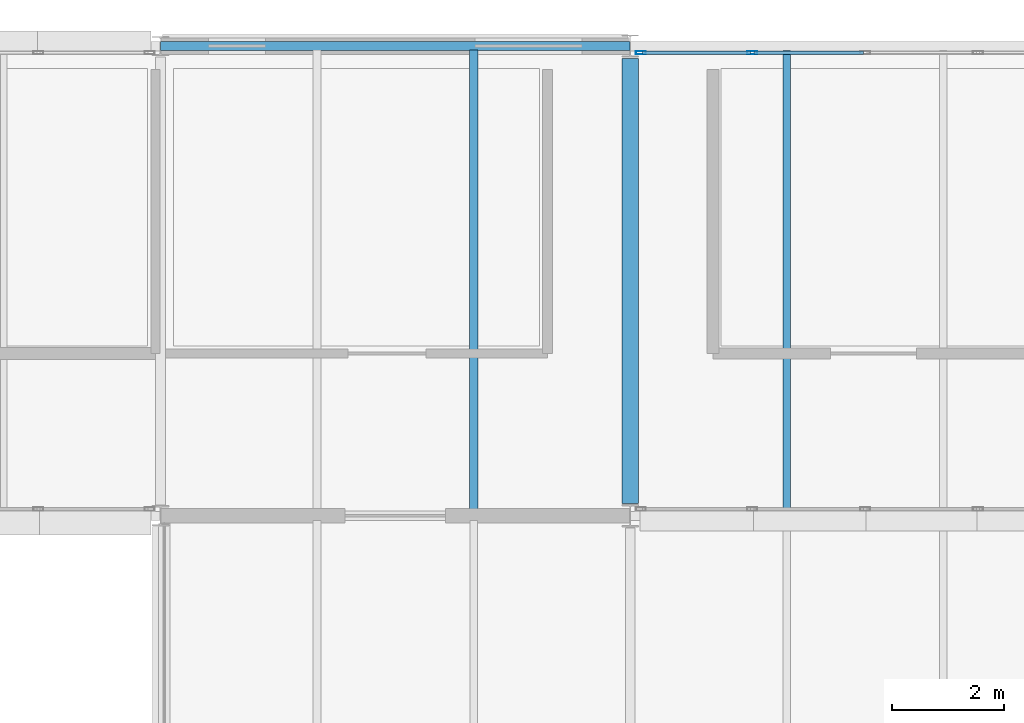
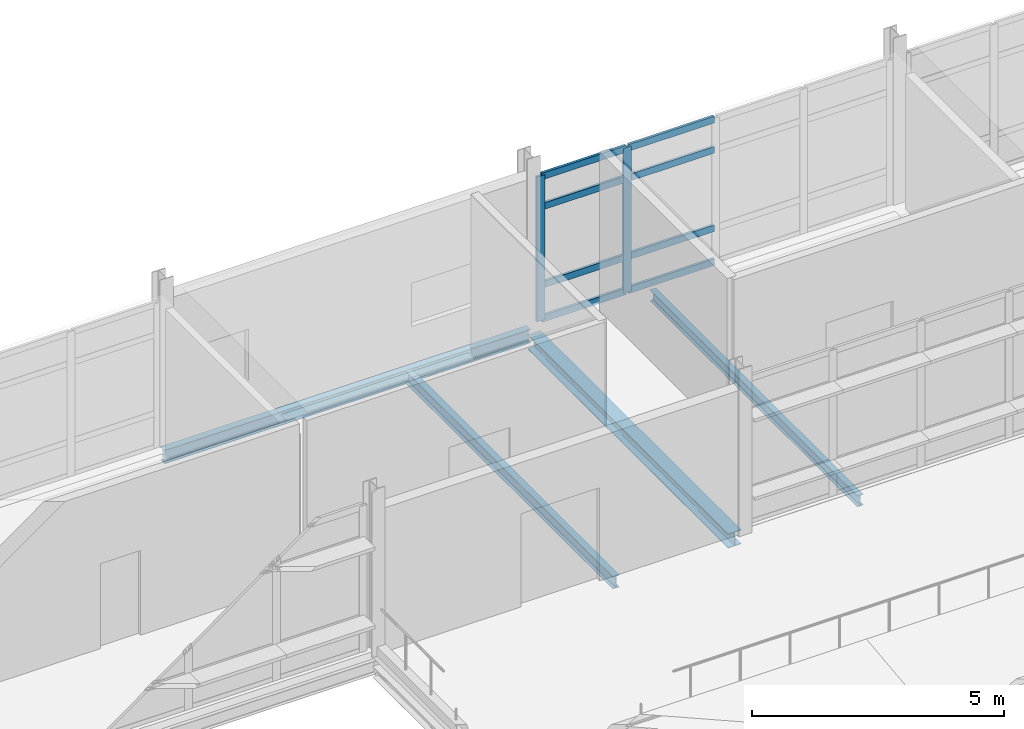
# One storey, part 22 of 66: 10 members, 4 beams, 1 element without a shape of its own.
"""IFC4 building model written with IfcOpenShell, lengths in metres."""

import ifcopenshell
import ifcopenshell.guid

model = None  # the IFC model being written
_history = None  # IfcOwnerHistory: only IFC2X3 demands one
_inside = {}  # id of a spatial element -> (the spatial element, [elements in it])
_under = {}  # id of a project, library or spatial element -> (it, [spatial elements below it])
_declared = {}  # id of a project -> (the project, [libraries it declares])
_typed = {}  # id of a type object -> (the type object, [elements of that type])
_made_of = {}  # id of a material, layer set ... -> (it, [elements and type objects made of it])


def new_model(schema):
    """Start an empty IFC model of exactly this schema.

    Asked for "IFC4X3", IfcOpenShell would pick the latest addendum, in which some entities
    have other attributes; the version numbers below select the first issue.
    IFC2X3 requires an IfcOwnerHistory on every rooted entity: one is made here for all.
    """
    global model, _history
    if schema == "IFC4X3":
        model = ifcopenshell.file(schema_version=(4, 3, 0, 0))
    else:
        model = ifcopenshell.file(schema=schema)
    _inside.clear()
    _under.clear()
    _declared.clear()
    _typed.clear()
    _made_of.clear()
    _history = None
    if model.schema == "IFC2X3":
        org = make("IfcOrganization", Name="unknown")
        user = make(
            "IfcPersonAndOrganization",
            ThePerson=make("IfcPerson", FamilyName="unknown"),
            TheOrganization=org,
        )
        app = make(
            "IfcApplication",
            ApplicationDeveloper=org,
            Version="unknown",
            ApplicationFullName="unknown",
            ApplicationIdentifier="unknown",
        )
        _history = make(
            "IfcOwnerHistory",
            OwningUser=user,
            OwningApplication=app,
            ChangeAction="ADDED",
            CreationDate=0,
        )
    return model


def make(cls, **values):
    """One entity of the class cls with the attributes given. An attribute that is None is left unset."""
    return model.create_entity(
        cls, **{name: value for name, value in values.items() if value is not None}
    )


def rooted(cls, **values):
    """An entity with a GlobalId (a new one), such as an element, a storey or a relation."""
    return make(cls, GlobalId=ifcopenshell.guid.new(), OwnerHistory=_history, **values)


def si_unit(unit_type, name, prefix=None):
    """IfcSIUnit, for example si_unit("LENGTHUNIT", "METRE", prefix="MILLI")."""
    return make("IfcSIUnit", UnitType=unit_type, Prefix=prefix, Name=name)


def assignment(units):
    """IfcUnitAssignment: the units of a project."""
    return None if units is None else make("IfcUnitAssignment", Units=units)


def point(xyz):
    """IfcCartesianPoint."""
    return None if xyz is None else make("IfcCartesianPoint", Coordinates=xyz)


def direction(xyz):
    """IfcDirection."""
    return None if xyz is None else make("IfcDirection", DirectionRatios=xyz)


def frame(location, z_axis=None, x_axis=None):
    """IfcAxis2Placement3D, a coordinate frame: its origin and axes. An axis left out is left unset."""
    return make(
        "IfcAxis2Placement3D",
        Location=point(location),
        Axis=direction(z_axis),
        RefDirection=direction(x_axis),
    )


def frame_2d(location, x_axis=None):
    """IfcAxis2Placement2D, a coordinate frame in the plane: its origin and x axis."""
    return make(
        "IfcAxis2Placement2D", Location=point(location), RefDirection=direction(x_axis)
    )


def origin():
    """The frame at (0, 0, 0) with its axes left unset."""
    return frame((0.0, 0.0, 0.0))


def origin_2d():
    """The frame at (0, 0) in the plane with its x axis left unset."""
    return frame_2d((0.0, 0.0))


def place(relative_to, where):
    """IfcLocalPlacement: puts the frame where relative to a parent placement (None: the world)."""
    return make(
        "IfcLocalPlacement", PlacementRelTo=relative_to, RelativePlacement=where
    )


def context(
    kind, dimensions, precision=None, world=None, true_north=None, identifier=None
):
    """IfcGeometricRepresentationContext, for example the 3D "Model" context."""
    return make(
        "IfcGeometricRepresentationContext",
        ContextIdentifier=identifier,
        ContextType=kind,
        CoordinateSpaceDimension=dimensions,
        Precision=precision,
        WorldCoordinateSystem=world,
        TrueNorth=true_north,
    )


def subcontext(parent, identifier, kind, view, scale=None):
    """IfcGeometricRepresentationSubContext, for example "Body" below "Model"."""
    return make(
        "IfcGeometricRepresentationSubContext",
        ContextIdentifier=identifier,
        ContextType=kind,
        ParentContext=parent,
        TargetScale=scale,
        TargetView=view,
    )


def project(units=None, contexts=None):
    """IfcProject with its units and contexts."""
    return rooted(
        "IfcProject",
        Name="project",
        RepresentationContexts=contexts,
        UnitsInContext=assignment(units),
    )


def spatial(cls, under=None, at=None, **own):
    """A site, building, storey or space (cls), placed at a placement, below another one or the project."""
    s = rooted(cls, ObjectPlacement=at, **own)
    if under is not None:
        _under.setdefault(under.id(), (under, []))[1].append(s)
    return s


def profile(cls, at=None, kind="AREA", **sizes):
    """A parametric profile (cls). Its sizes go by their IFC names, for example OverallWidth=200.0."""
    return make(cls, ProfileType=kind, Position=at, **sizes)


def hollow_rectangle(**sizes):
    """IfcRectangleHollowProfileDef."""
    return profile("IfcRectangleHollowProfileDef", **sizes)


def i_section(**sizes):
    """IfcIShapeProfileDef."""
    return profile("IfcIShapeProfileDef", **sizes)


def extrude(swept, where, along, depth):
    """IfcExtrudedAreaSolid: the profile swept, set in the frame where, extruded along a direction by depth."""
    return make(
        "IfcExtrudedAreaSolid",
        SweptArea=swept,
        Position=where,
        ExtrudedDirection=direction(along),
        Depth=depth,
    )


def shape(context_of_items, identifier, shape_type, items):
    """IfcShapeRepresentation: the items that make up one representation, for example the "Body"."""
    return make(
        "IfcShapeRepresentation",
        ContextOfItems=context_of_items,
        RepresentationIdentifier=identifier,
        RepresentationType=shape_type,
        Items=items,
    )


def material(Name=None, Category=None):
    """IfcMaterial."""
    return make("IfcMaterial", Name=Name, Category=Category)


def material_profile(
    of_material, cross_section, Name=None, Category=None, Priority=None
):
    """IfcMaterialProfile: a cross section and its material."""
    return make(
        "IfcMaterialProfile",
        Name=Name,
        Material=of_material,
        Profile=cross_section,
        Priority=Priority,
        Category=Category,
    )


def profile_set(profiles, Name=None, composite=None):
    """IfcMaterialProfileSet."""
    return make(
        "IfcMaterialProfileSet",
        Name=Name,
        MaterialProfiles=profiles,
        CompositeProfile=composite,
    )


def made_of(thing, what):
    """Note that an element or type object is made of a material, layer set ...; save() writes the relation."""
    if what is not None:
        _made_of.setdefault(what.id(), (what, []))[1].append(thing)
    return thing


def type_object(cls, material=None, **own):
    """A type object (cls), such as IfcWallType, which elements share."""
    return made_of(rooted(cls, **own), material)


def element(
    cls,
    number,
    at=None,
    inside=None,
    cuts=None,
    type_object=None,
    material=None,
    context=None,
    identifier="Body",
    shape_type=None,
    held_by="IfcProductDefinitionShape",
    body=None,
    shapes=None,
    **own,
):
    """One element of the class cls, such as IfcWall. Its Tag is "e" and its number.

    at: its placement. inside: the storey or other place that contains it. cuts: it is an
    opening in that element (IfcRelVoidsElement). A single representation is given by context,
    identifier, shape_type and body (its items); several are given by shapes. held_by: the class
    of the entity that holds the representations. save() writes the other relations.
    """
    e = rooted(cls, Tag="e%d" % number, ObjectPlacement=at, **own)
    if body is not None:
        shapes = [shape(context, identifier, shape_type, body)]
    if shapes is not None:
        e.Representation = make(held_by, Representations=shapes)
    if inside is not None:
        _inside.setdefault(inside.id(), (inside, []))[1].append(e)
    if cuts is not None:
        rooted(
            "IfcRelVoidsElement", RelatingBuildingElement=cuts, RelatedOpeningElement=e
        )
    if type_object is not None:
        _typed.setdefault(type_object.id(), (type_object, []))[1].append(e)
    return made_of(e, material)


def aggregate(whole, parts):
    """IfcRelAggregates: a whole, such as a stair, and the parts it consists of."""
    return rooted("IfcRelAggregates", RelatingObject=whole, RelatedObjects=parts)


def save(model, path):
    """Write the relations noted so far, then the file.

    IfcRelAggregates (storeys below a building ...), IfcRelContainedInSpatialStructure (elements
    in a storey), IfcRelDefinesByType, IfcRelAssociatesMaterial and IfcRelDeclares: one each for
    every whole, place, type object, material and project.
    """
    for whole, parts in _under.values():
        aggregate(whole, parts)
    for where, things in _inside.values():
        rooted(
            "IfcRelContainedInSpatialStructure",
            RelatedElements=things,
            RelatingStructure=where,
        )
    for kind, things in _typed.values():
        rooted("IfcRelDefinesByType", RelatedObjects=things, RelatingType=kind)
    for what, things in _made_of.values():
        rooted("IfcRelAssociatesMaterial", RelatedObjects=things, RelatingMaterial=what)
    for by, libraries in _declared.values():
        rooted("IfcRelDeclares", RelatingContext=by, RelatedDefinitions=libraries)
    model.write(path)


model = new_model("IFC4")

# Units and contexts
model_context = context("Model", 3, precision=1e-05, world=origin(), true_north=direction((0.0, 1.0)))
body_context = subcontext(model_context, "Body", "Model", "MODEL_VIEW")
ifc_project = project(units=[si_unit("LENGTHUNIT", "METRE"), si_unit("AREAUNIT", "SQUARE_METRE"), si_unit("VOLUMEUNIT", "CUBIC_METRE"), si_unit("PLANEANGLEUNIT", "RADIAN"), si_unit("MASSUNIT", "GRAM", prefix="KILO")], contexts=[model_context])

# Site, building, storey
site_placement = place(None, origin())
site = spatial("IfcSite", under=ifc_project, at=site_placement, CompositionType="ELEMENT")
building_placement = place(site_placement, origin())
building = spatial("IfcBuilding", under=site, at=building_placement, Name="Mersafa Astral City Hall", CompositionType="ELEMENT")
storey_placement = place(building_placement, frame((0.0, 0.0, 22.050048828125)))
storey = spatial("IfcBuildingStorey", under=building, at=storey_placement, Name="L05", CompositionType="ELEMENT", Elevation=22.050048828125)

# Curtain wall, members
ifc_material_1 = material(Name="Anodised bronze aluminium framing", Category="aluminium")
curtain_wall_type = type_object("IfcCurtainWallType", Name="ENV-CW-3", PredefinedType="USERDEFINED", material=ifc_material_1)
curtain_wall_placement = place(storey_placement, origin())
curtain_wall = element("IfcCurtainWall", 1, at=curtain_wall_placement, inside=storey, type_object=curtain_wall_type, Name="L05 Unitised solar curtain wall 230", ObjectType="UNITISED CURTAIN WALL", PredefinedType="USERDEFINED")
ifc_material_profile_1 = material_profile(ifc_material_1, hollow_rectangle(XDim=0.06005859375, YDim=0.179931640625, WallThickness=0.00390625, at=origin_2d()), Name="RHS 60x180x4")
ifc_profile_set_1 = profile_set([ifc_material_profile_1], Name="Anodised bronze aluminium framing")
member_type_1 = type_object("IfcMemberType", Name="ENV-CW-MUL-1", PredefinedType="MULLION", material=ifc_profile_set_1)
member_1_placement = place(storey_placement, frame((111.381103515625, 125.8798828125, -0.001953125), z_axis=(0.0, 0.0, 1.0), x_axis=(0.0, -1.0, 0.0)))
member_1 = element("IfcMember", 2, at=member_1_placement, type_object=member_type_1, Name="CW-3 mullion 4", PredefinedType="MULLION", context=body_context, shape_type="SweptSolid", body=[
    extrude(hollow_rectangle(XDim=0.06005859375, YDim=0.179931640625, WallThickness=0.00390625, at=origin_2d()), origin(), (0.0, 0.0, 1.0), 3.513916015625),
])
member_2_placement = place(storey_placement, frame((109.39208984375, 125.8798828125, -0.001953125), z_axis=(0.0, 0.0, 1.0), x_axis=(0.0, -1.0, 0.0)))
member_2 = element("IfcMember", 3, at=member_2_placement, type_object=member_type_1, Name="CW-3 mullion 5", PredefinedType="MULLION", context=body_context, shape_type="SweptSolid", body=[
    extrude(hollow_rectangle(XDim=0.06005859375, YDim=0.179931640625, WallThickness=0.00390625, at=origin_2d()), origin(), (0.0, 0.0, 1.0), 3.513916015625),
])
ifc_material_profile_2 = material_profile(ifc_material_1, hollow_rectangle(XDim=0.06005859375, YDim=0.159912109375, WallThickness=0.00390625, at=origin_2d()), Name="RHS 60x160x4")
ifc_profile_set_2 = profile_set([ifc_material_profile_2], Name="Anodised bronze aluminium framing")
member_type_2 = type_object("IfcMemberType", Name="ENV-CW-TRN-2", PredefinedType="USERDEFINED", material=ifc_profile_set_2)
member_3_placement = place(storey_placement, frame((113.3701171875, 125.8798828125, 0.02783203125), z_axis=(-1.0, 0.0, 0.0), x_axis=(0.0, -1.0, 0.0)))
member_3 = element("IfcMember", 4, at=member_3_placement, type_object=member_type_2, Name="CW-3 transom 3.1", ObjectType="TRANSOM", PredefinedType="USERDEFINED", context=body_context, shape_type="SweptSolid", body=[
    extrude(hollow_rectangle(XDim=0.06005859375, YDim=0.159912109375, WallThickness=0.00390625, at=origin_2d()), origin(), (0.0, 0.0, 1.0), 1.959228515625),
])
member_4_placement = place(storey_placement, frame((113.3701171875, 125.8798828125, 0.849853515625), z_axis=(-1.0, 0.0, 0.0), x_axis=(0.0, -1.0, 0.0)))
member_4 = element("IfcMember", 5, at=member_4_placement, type_object=member_type_2, Name="CW-3 transom 3.2", ObjectType="TRANSOM", PredefinedType="USERDEFINED", context=body_context, shape_type="SweptSolid", body=[
    extrude(hollow_rectangle(XDim=0.06005859375, YDim=0.159912109375, WallThickness=0.00390625, at=origin_2d()), origin(), (0.0, 0.0, 1.0), 1.959228515625),
])
member_5_placement = place(storey_placement, frame((113.3701171875, 125.8798828125, 2.75), z_axis=(-1.0, 0.0, 0.0), x_axis=(0.0, -1.0, 0.0)))
member_5 = element("IfcMember", 6, at=member_5_placement, type_object=member_type_2, Name="CW-3 transom 3.3", ObjectType="TRANSOM", PredefinedType="USERDEFINED", context=body_context, shape_type="SweptSolid", body=[
    extrude(hollow_rectangle(XDim=0.06005859375, YDim=0.159912109375, WallThickness=0.00390625, at=origin_2d()), origin(), (0.0, 0.0, 1.0), 1.959228515625),
])
member_6_placement = place(storey_placement, frame((113.3701171875, 125.8798828125, 3.48193359375), z_axis=(-1.0, 0.0, 0.0), x_axis=(0.0, -1.0, 0.0)))
member_6 = element("IfcMember", 7, at=member_6_placement, type_object=member_type_2, Name="CW-3 transom 3.4", ObjectType="TRANSOM", PredefinedType="USERDEFINED", context=body_context, shape_type="SweptSolid", body=[
    extrude(hollow_rectangle(XDim=0.06005859375, YDim=0.159912109375, WallThickness=0.00390625, at=origin_2d()), origin(), (0.0, 0.0, 1.0), 1.959228515625),
])
member_7_placement = place(storey_placement, frame((111.35107421875, 125.8798828125, 0.02783203125), z_axis=(-1.0, 0.0, 0.0), x_axis=(0.0, -1.0, 0.0)))
member_7 = element("IfcMember", 8, at=member_7_placement, type_object=member_type_2, Name="CW-3 transom 4.1", ObjectType="TRANSOM", PredefinedType="USERDEFINED", context=body_context, shape_type="SweptSolid", body=[
    extrude(hollow_rectangle(XDim=0.06005859375, YDim=0.159912109375, WallThickness=0.00390625, at=origin_2d()), origin(), (0.0, 0.0, 1.0), 1.928955078125),
])
member_8_placement = place(storey_placement, frame((111.35107421875, 125.8798828125, 0.849853515625), z_axis=(-1.0, 0.0, 0.0), x_axis=(0.0, -1.0, 0.0)))
member_8 = element("IfcMember", 9, at=member_8_placement, type_object=member_type_2, Name="CW-3 transom 4.2", ObjectType="TRANSOM", PredefinedType="USERDEFINED", context=body_context, shape_type="SweptSolid", body=[
    extrude(hollow_rectangle(XDim=0.06005859375, YDim=0.159912109375, WallThickness=0.00390625, at=origin_2d()), origin(), (0.0, 0.0, 1.0), 1.928955078125),
])
member_9_placement = place(storey_placement, frame((111.35107421875, 125.8798828125, 2.75), z_axis=(-1.0, 0.0, 0.0), x_axis=(0.0, -1.0, 0.0)))
member_9 = element("IfcMember", 10, at=member_9_placement, type_object=member_type_2, Name="CW-3 transom 4.3", ObjectType="TRANSOM", PredefinedType="USERDEFINED", context=body_context, shape_type="SweptSolid", body=[
    extrude(hollow_rectangle(XDim=0.06005859375, YDim=0.159912109375, WallThickness=0.00390625, at=origin_2d()), origin(), (0.0, 0.0, 1.0), 1.928955078125),
])
member_10_placement = place(storey_placement, frame((111.35107421875, 125.8798828125, 3.48193359375), z_axis=(-1.0, 0.0, 0.0), x_axis=(0.0, -1.0, 0.0)))
member_10 = element("IfcMember", 11, at=member_10_placement, type_object=member_type_2, Name="CW-3 transom 4.4", ObjectType="TRANSOM", PredefinedType="USERDEFINED", context=body_context, shape_type="SweptSolid", body=[
    extrude(hollow_rectangle(XDim=0.06005859375, YDim=0.159912109375, WallThickness=0.00390625, at=origin_2d()), origin(), (0.0, 0.0, 1.0), 1.928955078125),
])
aggregate(curtain_wall, [member_1, member_2, member_3, member_4, member_5, member_6, member_7, member_8, member_9, member_10])

# Beams
ifc_material_2 = material(Name="Steel S355", Category="steel")
ifc_material_profile_3 = material_profile(ifc_material_2, i_section(OverallWidth=0.300048828125, OverallDepth=0.35009765625, WebThickness=0.010009765625, FlangeThickness=0.017578125, FilletRadius=0.027099609375, at=origin_2d()), Name="HEA 360")
ifc_profile_set_3 = profile_set([ifc_material_profile_3], Name="Steel S355")
beam_type_1 = type_object("IfcBeamType", Name="STR-BM-HEA360", PredefinedType="BEAM", material=ifc_profile_set_3)
beam_1_placement = place(storey_placement, frame((109.199951171875, 117.820068359375, -0.35498046875), z_axis=(0.0, 1.0, 0.0), x_axis=(-1.0, 0.0, 0.0)))
element("IfcBeam", 12, at=beam_1_placement, inside=storey, type_object=beam_type_1, Name="L05 Primary girder Y 13-14", PredefinedType="BEAM", context=body_context, shape_type="SweptSolid", body=[
    extrude(i_section(OverallWidth=0.300048828125, OverallDepth=0.35009765625, WebThickness=0.010009765625, FlangeThickness=0.017578125, FilletRadius=0.027099609375, at=origin_2d()), origin(), (0.0, 0.0, 1.0), 7.9599609375),
])
ifc_material_profile_4 = material_profile(ifc_material_2, i_section(OverallWidth=0.135009765625, OverallDepth=0.27001953125, WebThickness=0.006591796875, FlangeThickness=0.01025390625, FilletRadius=0.014892578125, at=origin_2d()), Name="IPE 270")
ifc_profile_set_4 = profile_set([ifc_material_profile_4], Name="Steel S355")
beam_type_2 = type_object("IfcBeamType", Name="STR-BM-JOIST-IPE270", PredefinedType="JOIST", material=ifc_profile_set_4)
beam_2_placement = place(storey_placement, frame((112.0, 117.675048828125, -0.31494140625), z_axis=(0.0, 1.0, 0.0), x_axis=(-1.0, 0.0, 0.0)))
element("IfcBeam", 13, at=beam_2_placement, inside=storey, type_object=beam_type_2, Name="L05 Composite secondary floor joist 801", PredefinedType="JOIST", context=body_context, shape_type="SweptSolid", body=[
    extrude(i_section(OverallWidth=0.135009765625, OverallDepth=0.27001953125, WebThickness=0.006591796875, FlangeThickness=0.01025390625, FilletRadius=0.014892578125, at=origin_2d()), origin(), (0.0, 0.0, 1.0), 8.244873046875),
])
ifc_material_profile_5 = material_profile(ifc_material_2, i_section(OverallWidth=0.14990234375, OverallDepth=0.300048828125, WebThickness=0.007080078125, FlangeThickness=0.0107421875, FilletRadius=0.014892578125, at=origin_2d()), Name="IPE 300")
ifc_profile_set_5 = profile_set([ifc_material_profile_5], Name="Steel S355")
beam_type_3 = type_object("IfcBeamType", Name="STR-BM-JOIST-IPE300", PredefinedType="JOIST", material=ifc_profile_set_5)
beam_3_placement = place(storey_placement, frame((106.39990234375, 117.679931640625, -0.330078125), z_axis=(0.0, 1.0, 0.0), x_axis=(-1.0, 0.0, 0.0)))
element("IfcBeam", 14, at=beam_3_placement, inside=storey, type_object=beam_type_3, Name="L05 Composite secondary floor joist 800", PredefinedType="JOIST", context=body_context, shape_type="SweptSolid", body=[
    extrude(i_section(OverallWidth=0.14990234375, OverallDepth=0.300048828125, WebThickness=0.007080078125, FlangeThickness=0.0107421875, FilletRadius=0.014892578125, at=origin_2d()), origin(), (0.0, 0.0, 1.0), 8.2451171875),
])
ifc_material_profile_6 = material_profile(ifc_material_2, i_section(OverallWidth=0.159912109375, OverallDepth=0.330078125, WebThickness=0.007568359375, FlangeThickness=0.011474609375, FilletRadius=0.01806640625, at=origin_2d()), Name="IPE 330")
ifc_profile_set_6 = profile_set([ifc_material_profile_6], Name="Steel S355")
beam_type_4 = type_object("IfcBeamType", Name="STR-BM-SPANDREL-IPE330", PredefinedType="SPANDREL", material=ifc_profile_set_6)
beam_4_placement = place(storey_placement, frame((100.802978515625, 126.0, -0.344970703125), z_axis=(1.0, 0.0, 0.0), x_axis=(0.0, 1.0, 0.0)))
element("IfcBeam", 15, at=beam_4_placement, inside=storey, type_object=beam_type_4, Name="L05 Primary girder X 12-15", PredefinedType="SPANDREL", context=body_context, shape_type="SweptSolid", body=[
    extrude(i_section(OverallWidth=0.159912109375, OverallDepth=0.330078125, WebThickness=0.007568359375, FlangeThickness=0.011474609375, FilletRadius=0.01806640625, at=origin_2d()), origin(), (0.0, 0.0, 1.0), 8.39404296875),
])

save(model, "model.ifc")
